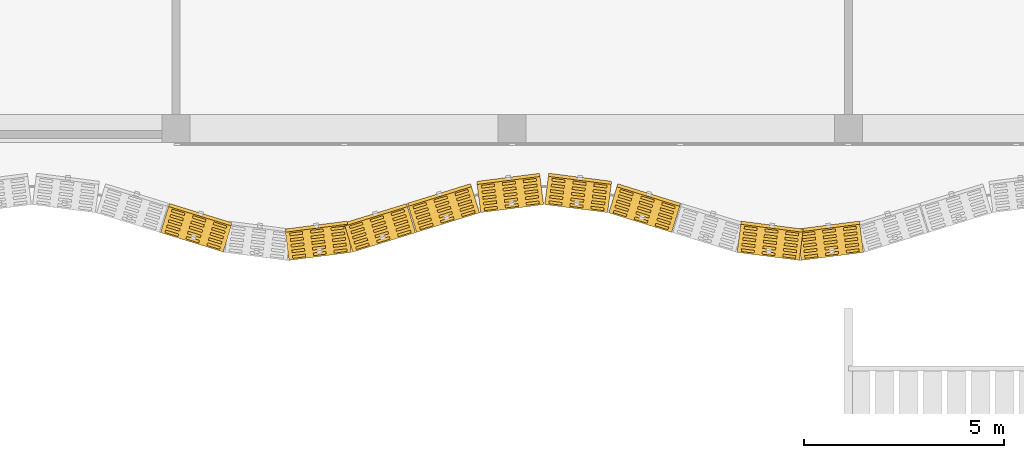
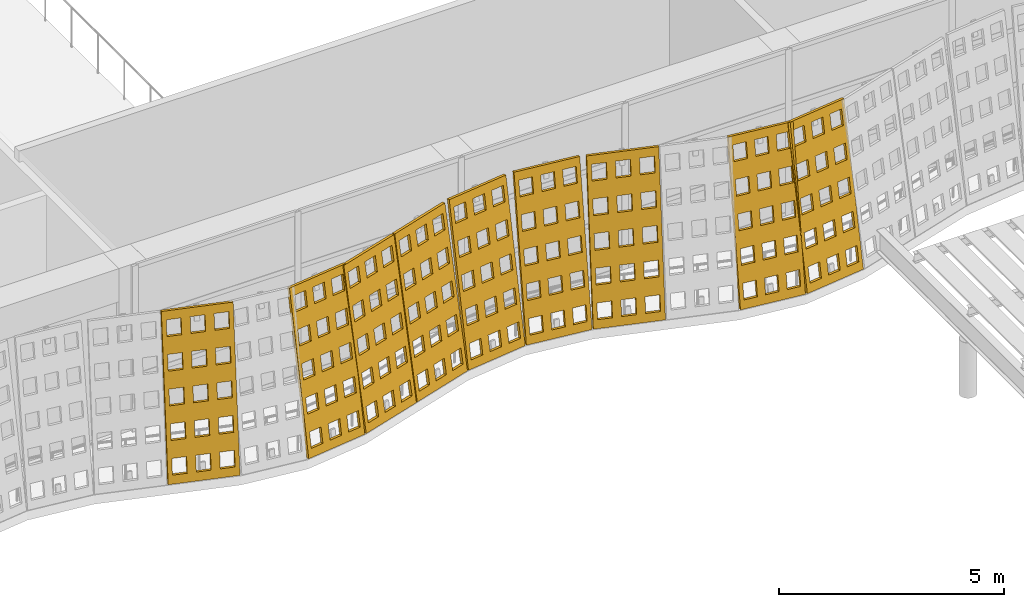
# One storey, part 134 of 162: 9 coverings.
"""IFC4 building model written with IfcOpenShell, lengths in metres."""

import ifcopenshell
import ifcopenshell.guid

model = None  # the IFC model being written
_history = None  # IfcOwnerHistory: only IFC2X3 demands one
_inside = {}  # id of a spatial element -> (the spatial element, [elements in it])
_under = {}  # id of a project, library or spatial element -> (it, [spatial elements below it])
_declared = {}  # id of a project -> (the project, [libraries it declares])
_typed = {}  # id of a type object -> (the type object, [elements of that type])
_made_of = {}  # id of a material, layer set ... -> (it, [elements and type objects made of it])


def new_model(schema):
    """Start an empty IFC model of exactly this schema.

    Asked for "IFC4X3", IfcOpenShell would pick the latest addendum, in which some entities
    have other attributes; the version numbers below select the first issue.
    IFC2X3 requires an IfcOwnerHistory on every rooted entity: one is made here for all.
    """
    global model, _history
    if schema == "IFC4X3":
        model = ifcopenshell.file(schema_version=(4, 3, 0, 0))
    else:
        model = ifcopenshell.file(schema=schema)
    _inside.clear()
    _under.clear()
    _declared.clear()
    _typed.clear()
    _made_of.clear()
    _history = None
    if model.schema == "IFC2X3":
        org = make("IfcOrganization", Name="unknown")
        user = make(
            "IfcPersonAndOrganization",
            ThePerson=make("IfcPerson", FamilyName="unknown"),
            TheOrganization=org,
        )
        app = make(
            "IfcApplication",
            ApplicationDeveloper=org,
            Version="unknown",
            ApplicationFullName="unknown",
            ApplicationIdentifier="unknown",
        )
        _history = make(
            "IfcOwnerHistory",
            OwningUser=user,
            OwningApplication=app,
            ChangeAction="ADDED",
            CreationDate=0,
        )
    return model


def make(cls, **values):
    """One entity of the class cls with the attributes given. An attribute that is None is left unset."""
    return model.create_entity(
        cls, **{name: value for name, value in values.items() if value is not None}
    )


def rooted(cls, **values):
    """An entity with a GlobalId (a new one), such as an element, a storey or a relation."""
    return make(cls, GlobalId=ifcopenshell.guid.new(), OwnerHistory=_history, **values)


def si_unit(unit_type, name, prefix=None):
    """IfcSIUnit, for example si_unit("LENGTHUNIT", "METRE", prefix="MILLI")."""
    return make("IfcSIUnit", UnitType=unit_type, Prefix=prefix, Name=name)


def assignment(units):
    """IfcUnitAssignment: the units of a project."""
    return None if units is None else make("IfcUnitAssignment", Units=units)


def point(xyz):
    """IfcCartesianPoint."""
    return None if xyz is None else make("IfcCartesianPoint", Coordinates=xyz)


def direction(xyz):
    """IfcDirection."""
    return None if xyz is None else make("IfcDirection", DirectionRatios=xyz)


def frame(location, z_axis=None, x_axis=None):
    """IfcAxis2Placement3D, a coordinate frame: its origin and axes. An axis left out is left unset."""
    return make(
        "IfcAxis2Placement3D",
        Location=point(location),
        Axis=direction(z_axis),
        RefDirection=direction(x_axis),
    )


def origin():
    """The frame at (0, 0, 0) with its axes left unset."""
    return frame((0.0, 0.0, 0.0))


def place(relative_to, where):
    """IfcLocalPlacement: puts the frame where relative to a parent placement (None: the world)."""
    return make(
        "IfcLocalPlacement", PlacementRelTo=relative_to, RelativePlacement=where
    )


def context(
    kind, dimensions, precision=None, world=None, true_north=None, identifier=None
):
    """IfcGeometricRepresentationContext, for example the 3D "Model" context."""
    return make(
        "IfcGeometricRepresentationContext",
        ContextIdentifier=identifier,
        ContextType=kind,
        CoordinateSpaceDimension=dimensions,
        Precision=precision,
        WorldCoordinateSystem=world,
        TrueNorth=true_north,
    )


def subcontext(parent, identifier, kind, view, scale=None):
    """IfcGeometricRepresentationSubContext, for example "Body" below "Model"."""
    return make(
        "IfcGeometricRepresentationSubContext",
        ContextIdentifier=identifier,
        ContextType=kind,
        ParentContext=parent,
        TargetScale=scale,
        TargetView=view,
    )


def project(units=None, contexts=None):
    """IfcProject with its units and contexts."""
    return rooted(
        "IfcProject",
        Name="project",
        RepresentationContexts=contexts,
        UnitsInContext=assignment(units),
    )


def spatial(cls, under=None, at=None, **own):
    """A site, building, storey or space (cls), placed at a placement, below another one or the project."""
    s = rooted(cls, ObjectPlacement=at, **own)
    if under is not None:
        _under.setdefault(under.id(), (under, []))[1].append(s)
    return s


def polyline(points):
    """IfcPolyline through the points."""
    return make("IfcPolyline", Points=[point(p) for p in points])


def outline(outer, holes=None, kind="AREA"):
    """IfcArbitraryClosedProfileDef: a profile drawn as a closed curve; with holes, ...WithVoids."""
    if holes is None:
        return make("IfcArbitraryClosedProfileDef", ProfileType=kind, OuterCurve=outer)
    return make(
        "IfcArbitraryProfileDefWithVoids",
        ProfileType=kind,
        OuterCurve=outer,
        InnerCurves=holes,
    )


def extrude(swept, where, along, depth):
    """IfcExtrudedAreaSolid: the profile swept, set in the frame where, extruded along a direction by depth."""
    return make(
        "IfcExtrudedAreaSolid",
        SweptArea=swept,
        Position=where,
        ExtrudedDirection=direction(along),
        Depth=depth,
    )


def shape(context_of_items, identifier, shape_type, items):
    """IfcShapeRepresentation: the items that make up one representation, for example the "Body"."""
    return make(
        "IfcShapeRepresentation",
        ContextOfItems=context_of_items,
        RepresentationIdentifier=identifier,
        RepresentationType=shape_type,
        Items=items,
    )


def material(Name=None, Category=None):
    """IfcMaterial."""
    return make("IfcMaterial", Name=Name, Category=Category)


def layer(
    of_material, thickness, ventilated=None, Name=None, Category=None, Priority=None
):
    """IfcMaterialLayer: one layer of a wall or slab, of a material (None: an air gap)."""
    return make(
        "IfcMaterialLayer",
        Material=of_material,
        LayerThickness=thickness,
        IsVentilated=ventilated,
        Name=Name,
        Category=Category,
        Priority=Priority,
    )


def layer_set(layers, Name=None):
    """IfcMaterialLayerSet."""
    return make("IfcMaterialLayerSet", MaterialLayers=layers, LayerSetName=Name)


def made_of(thing, what):
    """Note that an element or type object is made of a material, layer set ...; save() writes the relation."""
    if what is not None:
        _made_of.setdefault(what.id(), (what, []))[1].append(thing)
    return thing


def type_object(cls, material=None, **own):
    """A type object (cls), such as IfcWallType, which elements share."""
    return made_of(rooted(cls, **own), material)


def element(
    cls,
    number,
    at=None,
    inside=None,
    cuts=None,
    type_object=None,
    material=None,
    context=None,
    identifier="Body",
    shape_type=None,
    held_by="IfcProductDefinitionShape",
    body=None,
    shapes=None,
    **own,
):
    """One element of the class cls, such as IfcWall. Its Tag is "e" and its number.

    at: its placement. inside: the storey or other place that contains it. cuts: it is an
    opening in that element (IfcRelVoidsElement). A single representation is given by context,
    identifier, shape_type and body (its items); several are given by shapes. held_by: the class
    of the entity that holds the representations. save() writes the other relations.
    """
    e = rooted(cls, Tag="e%d" % number, ObjectPlacement=at, **own)
    if body is not None:
        shapes = [shape(context, identifier, shape_type, body)]
    if shapes is not None:
        e.Representation = make(held_by, Representations=shapes)
    if inside is not None:
        _inside.setdefault(inside.id(), (inside, []))[1].append(e)
    if cuts is not None:
        rooted(
            "IfcRelVoidsElement", RelatingBuildingElement=cuts, RelatedOpeningElement=e
        )
    if type_object is not None:
        _typed.setdefault(type_object.id(), (type_object, []))[1].append(e)
    return made_of(e, material)


def aggregate(whole, parts):
    """IfcRelAggregates: a whole, such as a stair, and the parts it consists of."""
    return rooted("IfcRelAggregates", RelatingObject=whole, RelatedObjects=parts)


def save(model, path):
    """Write the relations noted so far, then the file.

    IfcRelAggregates (storeys below a building ...), IfcRelContainedInSpatialStructure (elements
    in a storey), IfcRelDefinesByType, IfcRelAssociatesMaterial and IfcRelDeclares: one each for
    every whole, place, type object, material and project.
    """
    for whole, parts in _under.values():
        aggregate(whole, parts)
    for where, things in _inside.values():
        rooted(
            "IfcRelContainedInSpatialStructure",
            RelatedElements=things,
            RelatingStructure=where,
        )
    for kind, things in _typed.values():
        rooted("IfcRelDefinesByType", RelatedObjects=things, RelatingType=kind)
    for what, things in _made_of.values():
        rooted("IfcRelAssociatesMaterial", RelatedObjects=things, RelatingMaterial=what)
    for by, libraries in _declared.values():
        rooted("IfcRelDeclares", RelatingContext=by, RelatedDefinitions=libraries)
    model.write(path)


model = new_model("IFC4")

# Units and contexts
model_context = context("Model", 3, precision=1e-05, world=origin(), true_north=direction((0.0, 1.0)))
body_context = subcontext(model_context, "Body", "Model", "MODEL_VIEW")
ifc_project = project(units=[si_unit("LENGTHUNIT", "METRE"), si_unit("AREAUNIT", "SQUARE_METRE"), si_unit("VOLUMEUNIT", "CUBIC_METRE"), si_unit("PLANEANGLEUNIT", "RADIAN"), si_unit("MASSUNIT", "GRAM", prefix="KILO")], contexts=[model_context])

# Site, building, storey
site_placement = place(None, origin())
site = spatial("IfcSite", under=ifc_project, at=site_placement, CompositionType="ELEMENT")
building_placement = place(site_placement, origin())
building = spatial("IfcBuilding", under=site, at=building_placement, Name="Rain Tree Exposition and Congress Centre", CompositionType="ELEMENT")
storey_placement = place(building_placement, frame((0.0, 0.0, 6.0)))
storey = spatial("IfcBuildingStorey", under=building, at=storey_placement, Name="L01", CompositionType="ELEMENT", Elevation=6.0)

# Coverings
ifc_material = material(Name="Perforated terracotta", Category="masonry")
ifc_layer = layer(ifc_material, 0.080078125)
ifc_layer_set = layer_set([ifc_layer], Name="Perforated terracotta")
covering_type = type_object("IfcCoveringType", Name="Terracotta screen 80", PredefinedType="CLADDING", material=ifc_layer_set)
covering_1_placement = place(storey_placement, frame((41.6005859375, 73.001708984375, 0.0126953125), z_axis=(0.290138898064, 0.943714942124, -0.158812870519), x_axis=(-0.955845867297, 0.293868470528, 0.0)))
element("IfcCovering", 1, at=covering_1_placement, inside=storey, type_object=covering_type, Name="concourse/screen/L01/027", PredefinedType="CLADDING", context=body_context, shape_type="SweptSolid", body=[
    extrude(outline(polyline([(-1.65283203125, 0.0), (-1.65283203125, 4.29150390625), (-0.014892578125, 4.29150390625), (-0.014892578125, 0.0), (-1.65283203125, 0.0)]), holes=[polyline([(-0.11865234375, 0.221435546875), (-0.11865234375, 0.63671875), (-0.457275390625, 0.63671875), (-0.457275390625, 0.221435546875), (-0.11865234375, 0.221435546875)]), polyline([(-0.11865234375, 1.079833984375), (-0.11865234375, 1.4951171875), (-0.457275390625, 1.4951171875), (-0.457275390625, 1.079833984375), (-0.11865234375, 1.079833984375)]), polyline([(-0.11865234375, 1.93798828125), (-0.11865234375, 2.353271484375), (-0.457275390625, 2.353271484375), (-0.457275390625, 1.93798828125), (-0.11865234375, 1.93798828125)]), polyline([(-0.11865234375, 2.79638671875), (-0.11865234375, 3.211669921875), (-0.457275390625, 3.211669921875), (-0.457275390625, 2.79638671875), (-0.11865234375, 2.79638671875)]), polyline([(-0.11865234375, 3.654541015625), (-0.11865234375, 4.06982421875), (-0.457275390625, 4.06982421875), (-0.457275390625, 3.654541015625), (-0.11865234375, 3.654541015625)]), polyline([(-0.664794921875, 0.221435546875), (-0.664794921875, 0.63671875), (-1.003173828125, 0.63671875), (-1.003173828125, 0.221435546875), (-0.664794921875, 0.221435546875)]), polyline([(-0.664794921875, 1.079833984375), (-0.664794921875, 1.4951171875), (-1.003173828125, 1.4951171875), (-1.003173828125, 1.079833984375), (-0.664794921875, 1.079833984375)]), polyline([(-0.664794921875, 1.93798828125), (-0.664794921875, 2.353271484375), (-1.003173828125, 2.353271484375), (-1.003173828125, 1.93798828125), (-0.664794921875, 1.93798828125)]), polyline([(-0.664794921875, 2.79638671875), (-0.664794921875, 3.211669921875), (-1.003173828125, 3.211669921875), (-1.003173828125, 2.79638671875), (-0.664794921875, 2.79638671875)]), polyline([(-0.664794921875, 3.654541015625), (-0.664794921875, 4.06982421875), (-1.003173828125, 4.06982421875), (-1.003173828125, 3.654541015625), (-0.664794921875, 3.654541015625)]), polyline([(-1.210693359375, 0.221435546875), (-1.210693359375, 0.63671875), (-1.54931640625, 0.63671875), (-1.54931640625, 0.221435546875), (-1.210693359375, 0.221435546875)]), polyline([(-1.210693359375, 1.079833984375), (-1.210693359375, 1.4951171875), (-1.54931640625, 1.4951171875), (-1.54931640625, 1.079833984375), (-1.210693359375, 1.079833984375)]), polyline([(-1.210693359375, 1.93798828125), (-1.210693359375, 2.353271484375), (-1.54931640625, 2.353271484375), (-1.54931640625, 1.93798828125), (-1.210693359375, 1.93798828125)]), polyline([(-1.210693359375, 2.79638671875), (-1.210693359375, 3.211669921875), (-1.54931640625, 3.211669921875), (-1.54931640625, 2.79638671875), (-1.210693359375, 2.79638671875)]), polyline([(-1.210693359375, 3.654541015625), (-1.210693359375, 4.06982421875), (-1.54931640625, 4.06982421875), (-1.54931640625, 3.654541015625), (-1.210693359375, 3.654541015625)])]), origin(), (0.0, 0.0, 1.0), 0.079833984375),
])
covering_2_placement = place(storey_placement, frame((44.7998046875, 72.302001953125, 0.01318359375), z_axis=(-0.125342414455, 0.978282259159, -0.165085131233), x_axis=(-0.991891686382, -0.127086122318, 0.0)))
element("IfcCovering", 2, at=covering_2_placement, inside=storey, type_object=covering_type, Name="concourse/screen/L01/029", PredefinedType="CLADDING", context=body_context, shape_type="SweptSolid", body=[
    extrude(outline(polyline([(-1.59130859375, 0.0), (-1.59130859375, 4.295166015625), (-0.025146484375, 4.295166015625), (-0.025146484375, 0.0), (-1.59130859375, 0.0)]), holes=[polyline([(-0.12451171875, 0.2216796875), (-0.12451171875, 0.63720703125), (-0.447998046875, 0.63720703125), (-0.447998046875, 0.2216796875), (-0.12451171875, 0.2216796875)]), polyline([(-0.12451171875, 1.080810546875), (-0.12451171875, 1.496337890625), (-0.447998046875, 1.496337890625), (-0.447998046875, 1.080810546875), (-0.12451171875, 1.080810546875)]), polyline([(-0.12451171875, 1.939697265625), (-0.12451171875, 2.35546875), (-0.447998046875, 2.35546875), (-0.447998046875, 1.939697265625), (-0.12451171875, 1.939697265625)]), polyline([(-0.12451171875, 2.798583984375), (-0.12451171875, 3.21435546875), (-0.447998046875, 3.21435546875), (-0.447998046875, 2.798583984375), (-0.12451171875, 2.798583984375)]), polyline([(-0.12451171875, 3.65771484375), (-0.12451171875, 4.073486328125), (-0.447998046875, 4.073486328125), (-0.447998046875, 3.65771484375), (-0.12451171875, 3.65771484375)]), polyline([(-0.646484375, 0.2216796875), (-0.646484375, 0.63720703125), (-0.969970703125, 0.63720703125), (-0.969970703125, 0.2216796875), (-0.646484375, 0.2216796875)]), polyline([(-0.646484375, 1.080810546875), (-0.646484375, 1.496337890625), (-0.969970703125, 1.496337890625), (-0.969970703125, 1.080810546875), (-0.646484375, 1.080810546875)]), polyline([(-0.646484375, 1.939697265625), (-0.646484375, 2.35546875), (-0.969970703125, 2.35546875), (-0.969970703125, 1.939697265625), (-0.646484375, 1.939697265625)]), polyline([(-0.646484375, 2.798583984375), (-0.646484375, 3.21435546875), (-0.969970703125, 3.21435546875), (-0.969970703125, 2.798583984375), (-0.646484375, 2.798583984375)]), polyline([(-0.646484375, 3.65771484375), (-0.646484375, 4.073486328125), (-0.969970703125, 4.073486328125), (-0.969970703125, 3.65771484375), (-0.646484375, 3.65771484375)]), polyline([(-1.16845703125, 0.2216796875), (-1.16845703125, 0.63720703125), (-1.491943359375, 0.63720703125), (-1.491943359375, 0.2216796875), (-1.16845703125, 0.2216796875)]), polyline([(-1.16845703125, 1.080810546875), (-1.16845703125, 1.496337890625), (-1.491943359375, 1.496337890625), (-1.491943359375, 1.080810546875), (-1.16845703125, 1.080810546875)]), polyline([(-1.16845703125, 1.939697265625), (-1.16845703125, 2.35546875), (-1.491943359375, 2.35546875), (-1.491943359375, 1.939697265625), (-1.16845703125, 1.939697265625)]), polyline([(-1.16845703125, 2.798583984375), (-1.16845703125, 3.21435546875), (-1.491943359375, 3.21435546875), (-1.491943359375, 2.798583984375), (-1.16845703125, 2.798583984375)]), polyline([(-1.16845703125, 3.65771484375), (-1.16845703125, 4.073486328125), (-1.491943359375, 4.073486328125), (-1.491943359375, 3.65771484375), (-1.16845703125, 3.65771484375)])]), origin(), (0.0, 0.0, 1.0), 0.079833984375),
])
covering_3_placement = place(storey_placement, frame((46.3994140625, 72.506591796875, 0.0126953125), z_axis=(-0.290138898064, 0.943714942124, -0.158812870519), x_axis=(-0.955845867297, -0.293868470528, 0.0)))
element("IfcCovering", 3, at=covering_3_placement, inside=storey, type_object=covering_type, Name="concourse/screen/L01/030", PredefinedType="CLADDING", context=body_context, shape_type="SweptSolid", body=[
    extrude(outline(polyline([(-1.659912109375, 0.0), (-1.659912109375, 4.29150390625), (-0.02197265625, 4.29150390625), (-0.02197265625, 0.0), (-1.659912109375, 0.0)]), holes=[polyline([(-0.125732421875, 0.221435546875), (-0.125732421875, 0.63671875), (-0.464111328125, 0.63671875), (-0.464111328125, 0.221435546875), (-0.125732421875, 0.221435546875)]), polyline([(-0.125732421875, 1.079833984375), (-0.125732421875, 1.4951171875), (-0.464111328125, 1.4951171875), (-0.464111328125, 1.079833984375), (-0.125732421875, 1.079833984375)]), polyline([(-0.125732421875, 1.93798828125), (-0.125732421875, 2.353271484375), (-0.464111328125, 2.353271484375), (-0.464111328125, 1.93798828125), (-0.125732421875, 1.93798828125)]), polyline([(-0.125732421875, 2.79638671875), (-0.125732421875, 3.211669921875), (-0.464111328125, 3.211669921875), (-0.464111328125, 2.79638671875), (-0.125732421875, 2.79638671875)]), polyline([(-0.125732421875, 3.654541015625), (-0.125732421875, 4.06982421875), (-0.464111328125, 4.06982421875), (-0.464111328125, 3.654541015625), (-0.125732421875, 3.654541015625)]), polyline([(-0.671630859375, 0.221435546875), (-0.671630859375, 0.63671875), (-1.010009765625, 0.63671875), (-1.010009765625, 0.221435546875), (-0.671630859375, 0.221435546875)]), polyline([(-0.671630859375, 1.079833984375), (-0.671630859375, 1.4951171875), (-1.010009765625, 1.4951171875), (-1.010009765625, 1.079833984375), (-0.671630859375, 1.079833984375)]), polyline([(-0.671630859375, 1.93798828125), (-0.671630859375, 2.353271484375), (-1.010009765625, 2.353271484375), (-1.010009765625, 1.93798828125), (-0.671630859375, 1.93798828125)]), polyline([(-0.671630859375, 2.79638671875), (-0.671630859375, 3.211669921875), (-1.010009765625, 3.211669921875), (-1.010009765625, 2.79638671875), (-0.671630859375, 2.79638671875)]), polyline([(-0.671630859375, 3.654541015625), (-0.671630859375, 4.06982421875), (-1.010009765625, 4.06982421875), (-1.010009765625, 3.654541015625), (-0.671630859375, 3.654541015625)]), polyline([(-1.217529296875, 0.221435546875), (-1.217529296875, 0.63671875), (-1.55615234375, 0.63671875), (-1.55615234375, 0.221435546875), (-1.217529296875, 0.221435546875)]), polyline([(-1.217529296875, 1.079833984375), (-1.217529296875, 1.4951171875), (-1.55615234375, 1.4951171875), (-1.55615234375, 1.079833984375), (-1.217529296875, 1.079833984375)]), polyline([(-1.217529296875, 1.93798828125), (-1.217529296875, 2.353271484375), (-1.55615234375, 2.353271484375), (-1.55615234375, 1.93798828125), (-1.217529296875, 1.93798828125)]), polyline([(-1.217529296875, 2.79638671875), (-1.217529296875, 3.211669921875), (-1.55615234375, 3.211669921875), (-1.55615234375, 2.79638671875), (-1.217529296875, 2.79638671875)]), polyline([(-1.217529296875, 3.654541015625), (-1.217529296875, 4.06982421875), (-1.55615234375, 4.06982421875), (-1.55615234375, 3.654541015625), (-1.217529296875, 3.654541015625)])]), origin(), (0.0, 0.0, 1.0), 0.079833984375),
])
covering_4_placement = place(storey_placement, frame((47.99951171875, 73.001708984375, 0.0126953125), z_axis=(-0.292932171154, 0.942875425902, -0.158671592708), x_axis=(-0.954973588716, -0.296690823679, 0.0)))
element("IfcCovering", 4, at=covering_4_placement, inside=storey, type_object=covering_type, Name="concourse/screen/L01/031", PredefinedType="CLADDING", context=body_context, shape_type="SweptSolid", body=[
    extrude(outline(polyline([(-1.659912109375, 0.0), (-1.659912109375, 4.29150390625), (-0.014892578125, 4.29150390625), (-0.014892578125, 0.0), (-1.659912109375, 0.0)]), holes=[polyline([(-0.119140625, 0.221435546875), (-0.119140625, 0.63671875), (-0.458984375, 0.63671875), (-0.458984375, 0.221435546875), (-0.119140625, 0.221435546875)]), polyline([(-0.119140625, 1.079833984375), (-0.119140625, 1.4951171875), (-0.458984375, 1.4951171875), (-0.458984375, 1.079833984375), (-0.119140625, 1.079833984375)]), polyline([(-0.119140625, 1.93798828125), (-0.119140625, 2.353271484375), (-0.458984375, 2.353271484375), (-0.458984375, 1.93798828125), (-0.119140625, 1.93798828125)]), polyline([(-0.119140625, 2.79638671875), (-0.119140625, 3.211669921875), (-0.458984375, 3.211669921875), (-0.458984375, 2.79638671875), (-0.119140625, 2.79638671875)]), polyline([(-0.119140625, 3.654541015625), (-0.119140625, 4.06982421875), (-0.458984375, 4.06982421875), (-0.458984375, 3.654541015625), (-0.119140625, 3.654541015625)]), polyline([(-0.66748046875, 0.221435546875), (-0.66748046875, 0.63671875), (-1.00732421875, 0.63671875), (-1.00732421875, 0.221435546875), (-0.66748046875, 0.221435546875)]), polyline([(-0.66748046875, 1.079833984375), (-0.66748046875, 1.4951171875), (-1.00732421875, 1.4951171875), (-1.00732421875, 1.079833984375), (-0.66748046875, 1.079833984375)]), polyline([(-0.66748046875, 1.93798828125), (-0.66748046875, 2.353271484375), (-1.00732421875, 2.353271484375), (-1.00732421875, 1.93798828125), (-0.66748046875, 1.93798828125)]), polyline([(-0.66748046875, 2.79638671875), (-0.66748046875, 3.211669921875), (-1.00732421875, 3.211669921875), (-1.00732421875, 2.79638671875), (-0.66748046875, 2.79638671875)]), polyline([(-0.66748046875, 3.654541015625), (-0.66748046875, 4.06982421875), (-1.00732421875, 4.06982421875), (-1.00732421875, 3.654541015625), (-0.66748046875, 3.654541015625)]), polyline([(-1.2158203125, 0.221435546875), (-1.2158203125, 0.63671875), (-1.5556640625, 0.63671875), (-1.5556640625, 0.221435546875), (-1.2158203125, 0.221435546875)]), polyline([(-1.2158203125, 1.079833984375), (-1.2158203125, 1.4951171875), (-1.5556640625, 1.4951171875), (-1.5556640625, 1.079833984375), (-1.2158203125, 1.079833984375)]), polyline([(-1.2158203125, 1.93798828125), (-1.2158203125, 2.353271484375), (-1.5556640625, 2.353271484375), (-1.5556640625, 1.93798828125), (-1.2158203125, 1.93798828125)]), polyline([(-1.2158203125, 2.79638671875), (-1.2158203125, 3.211669921875), (-1.5556640625, 3.211669921875), (-1.5556640625, 2.79638671875), (-1.2158203125, 2.79638671875)]), polyline([(-1.2158203125, 3.654541015625), (-1.2158203125, 4.06982421875), (-1.5556640625, 4.06982421875), (-1.5556640625, 3.654541015625), (-1.2158203125, 3.654541015625)])]), origin(), (0.0, 0.0, 1.0), 0.080078125),
])
covering_5_placement = place(storey_placement, frame((49.599609375, 73.496826171875, 0.01318359375), z_axis=(-0.124968640969, 0.978413018317, -0.164592844203), x_axis=(-0.991941518713, -0.126696580272, 0.0)))
element("IfcCovering", 5, at=covering_5_placement, inside=storey, type_object=covering_type, Name="concourse/screen/L01/032", PredefinedType="CLADDING", context=body_context, shape_type="SweptSolid", body=[
    extrude(outline(polyline([(-1.59814453125, 0.0), (-1.59814453125, 4.295166015625), (-0.014892578125, 4.295166015625), (-0.014892578125, 0.0), (-1.59814453125, 0.0)]), holes=[polyline([(-0.115234375, 0.2216796875), (-0.115234375, 0.63720703125), (-0.4423828125, 0.63720703125), (-0.4423828125, 0.2216796875), (-0.115234375, 0.2216796875)]), polyline([(-0.115234375, 1.080810546875), (-0.115234375, 1.496337890625), (-0.4423828125, 1.496337890625), (-0.4423828125, 1.080810546875), (-0.115234375, 1.080810546875)]), polyline([(-0.115234375, 1.939697265625), (-0.115234375, 2.35546875), (-0.4423828125, 2.35546875), (-0.4423828125, 1.939697265625), (-0.115234375, 1.939697265625)]), polyline([(-0.115234375, 2.798583984375), (-0.115234375, 3.21435546875), (-0.4423828125, 3.21435546875), (-0.4423828125, 2.798583984375), (-0.115234375, 2.798583984375)]), polyline([(-0.115234375, 3.65771484375), (-0.115234375, 4.073486328125), (-0.4423828125, 4.073486328125), (-0.4423828125, 3.65771484375), (-0.115234375, 3.65771484375)]), polyline([(-0.64306640625, 0.2216796875), (-0.64306640625, 0.63720703125), (-0.97021484375, 0.63720703125), (-0.97021484375, 0.2216796875), (-0.64306640625, 0.2216796875)]), polyline([(-0.64306640625, 1.080810546875), (-0.64306640625, 1.496337890625), (-0.97021484375, 1.496337890625), (-0.97021484375, 1.080810546875), (-0.64306640625, 1.080810546875)]), polyline([(-0.64306640625, 1.939697265625), (-0.64306640625, 2.35546875), (-0.97021484375, 2.35546875), (-0.97021484375, 1.939697265625), (-0.64306640625, 1.939697265625)]), polyline([(-0.64306640625, 2.798583984375), (-0.64306640625, 3.21435546875), (-0.97021484375, 3.21435546875), (-0.97021484375, 2.798583984375), (-0.64306640625, 2.798583984375)]), polyline([(-0.64306640625, 3.65771484375), (-0.64306640625, 4.073486328125), (-0.97021484375, 4.073486328125), (-0.97021484375, 3.65771484375), (-0.64306640625, 3.65771484375)]), polyline([(-1.170654296875, 0.2216796875), (-1.170654296875, 0.63720703125), (-1.497802734375, 0.63720703125), (-1.497802734375, 0.2216796875), (-1.170654296875, 0.2216796875)]), polyline([(-1.170654296875, 1.080810546875), (-1.170654296875, 1.496337890625), (-1.497802734375, 1.496337890625), (-1.497802734375, 1.080810546875), (-1.170654296875, 1.080810546875)]), polyline([(-1.170654296875, 1.939697265625), (-1.170654296875, 2.35546875), (-1.497802734375, 2.35546875), (-1.497802734375, 1.939697265625), (-1.170654296875, 1.939697265625)]), polyline([(-1.170654296875, 2.798583984375), (-1.170654296875, 3.21435546875), (-1.497802734375, 3.21435546875), (-1.497802734375, 2.798583984375), (-1.170654296875, 2.798583984375)]), polyline([(-1.170654296875, 3.65771484375), (-1.170654296875, 4.073486328125), (-1.497802734375, 4.073486328125), (-1.497802734375, 3.65771484375), (-1.170654296875, 3.65771484375)])]), origin(), (0.0, 0.0, 1.0), 0.080078125),
])
covering_6_placement = place(storey_placement, frame((51.2001953125, 73.701904296875, 0.01318359375), z_axis=(0.125342414455, 0.978282259159, -0.165085131233), x_axis=(-0.991891686382, 0.127086122318, 0.0)))
element("IfcCovering", 6, at=covering_6_placement, inside=storey, type_object=covering_type, Name="concourse/screen/L01/033", PredefinedType="CLADDING", context=body_context, shape_type="SweptSolid", body=[
    extrude(outline(polyline([(-1.59814453125, 0.0), (-1.59814453125, 4.295166015625), (-0.014892578125, 4.295166015625), (-0.014892578125, 0.0), (-1.59814453125, 0.0)]), holes=[polyline([(-0.115234375, 0.2216796875), (-0.115234375, 0.63720703125), (-0.4423828125, 0.63720703125), (-0.4423828125, 0.2216796875), (-0.115234375, 0.2216796875)]), polyline([(-0.115234375, 1.080810546875), (-0.115234375, 1.496337890625), (-0.4423828125, 1.496337890625), (-0.4423828125, 1.080810546875), (-0.115234375, 1.080810546875)]), polyline([(-0.115234375, 1.939697265625), (-0.115234375, 2.35546875), (-0.4423828125, 2.35546875), (-0.4423828125, 1.939697265625), (-0.115234375, 1.939697265625)]), polyline([(-0.115234375, 2.798583984375), (-0.115234375, 3.21435546875), (-0.4423828125, 3.21435546875), (-0.4423828125, 2.798583984375), (-0.115234375, 2.798583984375)]), polyline([(-0.115234375, 3.65771484375), (-0.115234375, 4.073486328125), (-0.4423828125, 4.073486328125), (-0.4423828125, 3.65771484375), (-0.115234375, 3.65771484375)]), polyline([(-0.64306640625, 0.2216796875), (-0.64306640625, 0.63720703125), (-0.97021484375, 0.63720703125), (-0.97021484375, 0.2216796875), (-0.64306640625, 0.2216796875)]), polyline([(-0.64306640625, 1.080810546875), (-0.64306640625, 1.496337890625), (-0.97021484375, 1.496337890625), (-0.97021484375, 1.080810546875), (-0.64306640625, 1.080810546875)]), polyline([(-0.64306640625, 1.939697265625), (-0.64306640625, 2.35546875), (-0.97021484375, 2.35546875), (-0.97021484375, 1.939697265625), (-0.64306640625, 1.939697265625)]), polyline([(-0.64306640625, 2.798583984375), (-0.64306640625, 3.21435546875), (-0.97021484375, 3.21435546875), (-0.97021484375, 2.798583984375), (-0.64306640625, 2.798583984375)]), polyline([(-0.64306640625, 3.65771484375), (-0.64306640625, 4.073486328125), (-0.97021484375, 4.073486328125), (-0.97021484375, 3.65771484375), (-0.64306640625, 3.65771484375)]), polyline([(-1.170654296875, 0.2216796875), (-1.170654296875, 0.63720703125), (-1.497802734375, 0.63720703125), (-1.497802734375, 0.2216796875), (-1.170654296875, 0.2216796875)]), polyline([(-1.170654296875, 1.080810546875), (-1.170654296875, 1.496337890625), (-1.497802734375, 1.496337890625), (-1.497802734375, 1.080810546875), (-1.170654296875, 1.080810546875)]), polyline([(-1.170654296875, 1.939697265625), (-1.170654296875, 2.35546875), (-1.497802734375, 2.35546875), (-1.497802734375, 1.939697265625), (-1.170654296875, 1.939697265625)]), polyline([(-1.170654296875, 2.798583984375), (-1.170654296875, 3.21435546875), (-1.497802734375, 3.21435546875), (-1.497802734375, 2.798583984375), (-1.170654296875, 2.798583984375)]), polyline([(-1.170654296875, 3.65771484375), (-1.170654296875, 4.073486328125), (-1.497802734375, 4.073486328125), (-1.497802734375, 3.65771484375), (-1.170654296875, 3.65771484375)])]), origin(), (0.0, 0.0, 1.0), 0.079833984375),
])
covering_7_placement = place(storey_placement, frame((52.800537109375, 73.49658203125, 0.0126953125), z_axis=(0.292932171154, 0.942875425902, -0.158671592708), x_axis=(-0.954973588716, 0.296690823679, 0.0)))
element("IfcCovering", 7, at=covering_7_placement, inside=storey, type_object=covering_type, Name="concourse/screen/L01/034", PredefinedType="CLADDING", context=body_context, shape_type="SweptSolid", body=[
    extrude(outline(polyline([(-1.659912109375, 0.0), (-1.659912109375, 4.29150390625), (-0.014892578125, 4.29150390625), (-0.014892578125, 0.0), (-1.659912109375, 0.0)]), holes=[polyline([(-0.119140625, 0.221435546875), (-0.119140625, 0.63671875), (-0.458984375, 0.63671875), (-0.458984375, 0.221435546875), (-0.119140625, 0.221435546875)]), polyline([(-0.119140625, 1.079833984375), (-0.119140625, 1.4951171875), (-0.458984375, 1.4951171875), (-0.458984375, 1.079833984375), (-0.119140625, 1.079833984375)]), polyline([(-0.119140625, 1.93798828125), (-0.119140625, 2.353271484375), (-0.458984375, 2.353271484375), (-0.458984375, 1.93798828125), (-0.119140625, 1.93798828125)]), polyline([(-0.119140625, 2.79638671875), (-0.119140625, 3.211669921875), (-0.458984375, 3.211669921875), (-0.458984375, 2.79638671875), (-0.119140625, 2.79638671875)]), polyline([(-0.119140625, 3.654541015625), (-0.119140625, 4.06982421875), (-0.458984375, 4.06982421875), (-0.458984375, 3.654541015625), (-0.119140625, 3.654541015625)]), polyline([(-0.66748046875, 0.221435546875), (-0.66748046875, 0.63671875), (-1.00732421875, 0.63671875), (-1.00732421875, 0.221435546875), (-0.66748046875, 0.221435546875)]), polyline([(-0.66748046875, 1.079833984375), (-0.66748046875, 1.4951171875), (-1.00732421875, 1.4951171875), (-1.00732421875, 1.079833984375), (-0.66748046875, 1.079833984375)]), polyline([(-0.66748046875, 1.93798828125), (-0.66748046875, 2.353271484375), (-1.00732421875, 2.353271484375), (-1.00732421875, 1.93798828125), (-0.66748046875, 1.93798828125)]), polyline([(-0.66748046875, 2.79638671875), (-0.66748046875, 3.211669921875), (-1.00732421875, 3.211669921875), (-1.00732421875, 2.79638671875), (-0.66748046875, 2.79638671875)]), polyline([(-0.66748046875, 3.654541015625), (-0.66748046875, 4.06982421875), (-1.00732421875, 4.06982421875), (-1.00732421875, 3.654541015625), (-0.66748046875, 3.654541015625)]), polyline([(-1.2158203125, 0.221435546875), (-1.2158203125, 0.63671875), (-1.5556640625, 0.63671875), (-1.5556640625, 0.221435546875), (-1.2158203125, 0.221435546875)]), polyline([(-1.2158203125, 1.079833984375), (-1.2158203125, 1.4951171875), (-1.5556640625, 1.4951171875), (-1.5556640625, 1.079833984375), (-1.2158203125, 1.079833984375)]), polyline([(-1.2158203125, 1.93798828125), (-1.2158203125, 2.353271484375), (-1.5556640625, 2.353271484375), (-1.5556640625, 1.93798828125), (-1.2158203125, 1.93798828125)]), polyline([(-1.2158203125, 2.79638671875), (-1.2158203125, 3.211669921875), (-1.5556640625, 3.211669921875), (-1.5556640625, 2.79638671875), (-1.2158203125, 2.79638671875)]), polyline([(-1.2158203125, 3.654541015625), (-1.2158203125, 4.06982421875), (-1.5556640625, 4.06982421875), (-1.5556640625, 3.654541015625), (-1.2158203125, 3.654541015625)])]), origin(), (0.0, 0.0, 1.0), 0.080078125),
])
covering_8_placement = place(storey_placement, frame((56.000244140625, 72.5068359375, 0.01318359375), z_axis=(0.124968640969, 0.978413018317, -0.164592844203), x_axis=(-0.991941518713, 0.126696580272, 0.0)))
element("IfcCovering", 8, at=covering_8_placement, inside=storey, type_object=covering_type, Name="concourse/screen/L01/036", PredefinedType="CLADDING", context=body_context, shape_type="SweptSolid", body=[
    extrude(outline(polyline([(-1.587890625, 0.0), (-1.587890625, 4.295166015625), (-0.02197265625, 4.295166015625), (-0.02197265625, 0.0), (-1.587890625, 0.0)]), holes=[polyline([(-0.12109375, 0.2216796875), (-0.12109375, 0.63720703125), (-0.444580078125, 0.63720703125), (-0.444580078125, 0.2216796875), (-0.12109375, 0.2216796875)]), polyline([(-0.12109375, 1.080810546875), (-0.12109375, 1.496337890625), (-0.444580078125, 1.496337890625), (-0.444580078125, 1.080810546875), (-0.12109375, 1.080810546875)]), polyline([(-0.12109375, 1.939697265625), (-0.12109375, 2.35546875), (-0.444580078125, 2.35546875), (-0.444580078125, 1.939697265625), (-0.12109375, 1.939697265625)]), polyline([(-0.12109375, 2.798583984375), (-0.12109375, 3.21435546875), (-0.444580078125, 3.21435546875), (-0.444580078125, 2.798583984375), (-0.12109375, 2.798583984375)]), polyline([(-0.12109375, 3.65771484375), (-0.12109375, 4.073486328125), (-0.444580078125, 4.073486328125), (-0.444580078125, 3.65771484375), (-0.12109375, 3.65771484375)]), polyline([(-0.64306640625, 0.2216796875), (-0.64306640625, 0.63720703125), (-0.966796875, 0.63720703125), (-0.966796875, 0.2216796875), (-0.64306640625, 0.2216796875)]), polyline([(-0.64306640625, 1.080810546875), (-0.64306640625, 1.496337890625), (-0.966796875, 1.496337890625), (-0.966796875, 1.080810546875), (-0.64306640625, 1.080810546875)]), polyline([(-0.64306640625, 1.939697265625), (-0.64306640625, 2.35546875), (-0.966796875, 2.35546875), (-0.966796875, 1.939697265625), (-0.64306640625, 1.939697265625)]), polyline([(-0.64306640625, 2.798583984375), (-0.64306640625, 3.21435546875), (-0.966796875, 3.21435546875), (-0.966796875, 2.798583984375), (-0.64306640625, 2.798583984375)]), polyline([(-0.64306640625, 3.65771484375), (-0.64306640625, 4.073486328125), (-0.966796875, 4.073486328125), (-0.966796875, 3.65771484375), (-0.64306640625, 3.65771484375)]), polyline([(-1.1650390625, 0.2216796875), (-1.1650390625, 0.63720703125), (-1.48876953125, 0.63720703125), (-1.48876953125, 0.2216796875), (-1.1650390625, 0.2216796875)]), polyline([(-1.1650390625, 1.080810546875), (-1.1650390625, 1.496337890625), (-1.48876953125, 1.496337890625), (-1.48876953125, 1.080810546875), (-1.1650390625, 1.080810546875)]), polyline([(-1.1650390625, 1.939697265625), (-1.1650390625, 2.35546875), (-1.48876953125, 2.35546875), (-1.48876953125, 1.939697265625), (-1.1650390625, 1.939697265625)]), polyline([(-1.1650390625, 2.798583984375), (-1.1650390625, 3.21435546875), (-1.48876953125, 3.21435546875), (-1.48876953125, 2.798583984375), (-1.1650390625, 2.798583984375)]), polyline([(-1.1650390625, 3.65771484375), (-1.1650390625, 4.073486328125), (-1.48876953125, 4.073486328125), (-1.48876953125, 3.65771484375), (-1.1650390625, 3.65771484375)])]), origin(), (0.0, 0.0, 1.0), 0.080078125),
])
covering_9_placement = place(storey_placement, frame((57.599609375, 72.302001953125, 0.01318359375), z_axis=(-0.125342414455, 0.978282259159, -0.165085131233), x_axis=(-0.991891686382, -0.127086122318, 0.0)))
element("IfcCovering", 9, at=covering_9_placement, inside=storey, type_object=covering_type, Name="concourse/screen/L01/037", PredefinedType="CLADDING", context=body_context, shape_type="SweptSolid", body=[
    extrude(outline(polyline([(-1.59130859375, 0.0), (-1.59130859375, 4.295166015625), (-0.025146484375, 4.295166015625), (-0.025146484375, 0.0), (-1.59130859375, 0.0)]), holes=[polyline([(-0.12451171875, 0.2216796875), (-0.12451171875, 0.63720703125), (-0.447998046875, 0.63720703125), (-0.447998046875, 0.2216796875), (-0.12451171875, 0.2216796875)]), polyline([(-0.12451171875, 1.080810546875), (-0.12451171875, 1.496337890625), (-0.447998046875, 1.496337890625), (-0.447998046875, 1.080810546875), (-0.12451171875, 1.080810546875)]), polyline([(-0.12451171875, 1.939697265625), (-0.12451171875, 2.35546875), (-0.447998046875, 2.35546875), (-0.447998046875, 1.939697265625), (-0.12451171875, 1.939697265625)]), polyline([(-0.12451171875, 2.798583984375), (-0.12451171875, 3.21435546875), (-0.447998046875, 3.21435546875), (-0.447998046875, 2.798583984375), (-0.12451171875, 2.798583984375)]), polyline([(-0.12451171875, 3.65771484375), (-0.12451171875, 4.073486328125), (-0.447998046875, 4.073486328125), (-0.447998046875, 3.65771484375), (-0.12451171875, 3.65771484375)]), polyline([(-0.646484375, 0.2216796875), (-0.646484375, 0.63720703125), (-0.969970703125, 0.63720703125), (-0.969970703125, 0.2216796875), (-0.646484375, 0.2216796875)]), polyline([(-0.646484375, 1.080810546875), (-0.646484375, 1.496337890625), (-0.969970703125, 1.496337890625), (-0.969970703125, 1.080810546875), (-0.646484375, 1.080810546875)]), polyline([(-0.646484375, 1.939697265625), (-0.646484375, 2.35546875), (-0.969970703125, 2.35546875), (-0.969970703125, 1.939697265625), (-0.646484375, 1.939697265625)]), polyline([(-0.646484375, 2.798583984375), (-0.646484375, 3.21435546875), (-0.969970703125, 3.21435546875), (-0.969970703125, 2.798583984375), (-0.646484375, 2.798583984375)]), polyline([(-0.646484375, 3.65771484375), (-0.646484375, 4.073486328125), (-0.969970703125, 4.073486328125), (-0.969970703125, 3.65771484375), (-0.646484375, 3.65771484375)]), polyline([(-1.16845703125, 0.2216796875), (-1.16845703125, 0.63720703125), (-1.491943359375, 0.63720703125), (-1.491943359375, 0.2216796875), (-1.16845703125, 0.2216796875)]), polyline([(-1.16845703125, 1.080810546875), (-1.16845703125, 1.496337890625), (-1.491943359375, 1.496337890625), (-1.491943359375, 1.080810546875), (-1.16845703125, 1.080810546875)]), polyline([(-1.16845703125, 1.939697265625), (-1.16845703125, 2.35546875), (-1.491943359375, 2.35546875), (-1.491943359375, 1.939697265625), (-1.16845703125, 1.939697265625)]), polyline([(-1.16845703125, 2.798583984375), (-1.16845703125, 3.21435546875), (-1.491943359375, 3.21435546875), (-1.491943359375, 2.798583984375), (-1.16845703125, 2.798583984375)]), polyline([(-1.16845703125, 3.65771484375), (-1.16845703125, 4.073486328125), (-1.491943359375, 4.073486328125), (-1.491943359375, 3.65771484375), (-1.16845703125, 3.65771484375)])]), origin(), (0.0, 0.0, 1.0), 0.079833984375),
])

save(model, "model.ifc")
